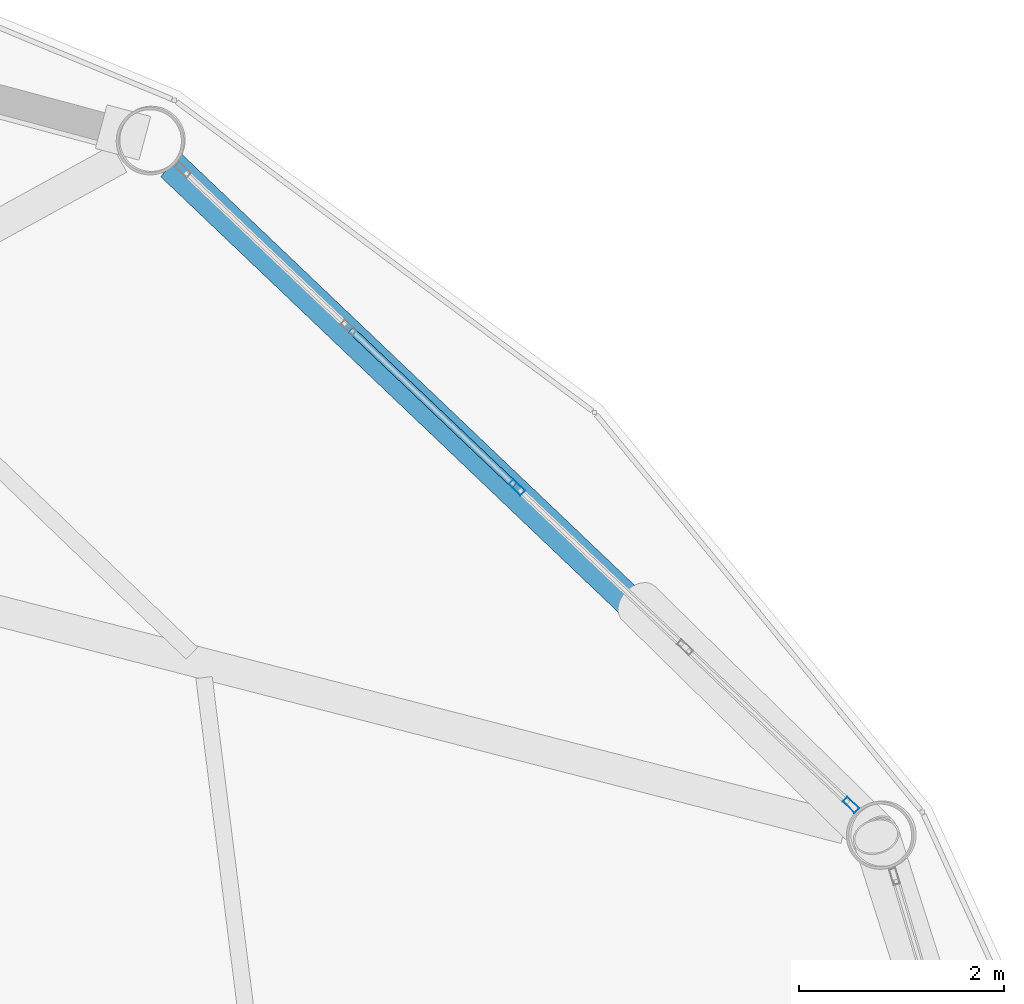
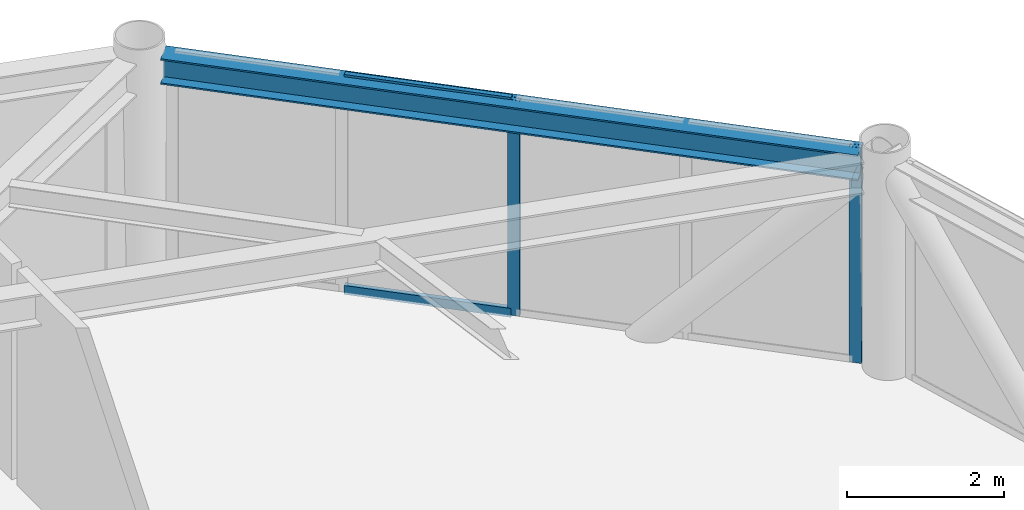
# One storey, part 18 of 29: 4 members, 1 beam, 1 element without a shape of its own.
"""IFC4 building model written with IfcOpenShell, lengths in metres."""

from ifc_helpers import new_model, si_unit, direction, frame, origin, origin_2d, place, context, subcontext, project, spatial, hollow_rectangle, i_section, extrude, material, layer, layer_set, material_profile, profile_set, type_object, element, aggregate, save


model = new_model("IFC4")

# Units and contexts
model_context = context("Model", 3, precision=1e-05, world=origin(), true_north=direction((0.0, 1.0)))
body_context = subcontext(model_context, "Body", "Model", "MODEL_VIEW")
ifc_project = project(units=[si_unit("LENGTHUNIT", "METRE"), si_unit("AREAUNIT", "SQUARE_METRE"), si_unit("VOLUMEUNIT", "CUBIC_METRE"), si_unit("PLANEANGLEUNIT", "RADIAN"), si_unit("MASSUNIT", "GRAM", prefix="KILO")], contexts=[model_context])

# Site, building, storey
site_placement = place(None, origin())
site = spatial("IfcSite", under=ifc_project, at=site_placement, CompositionType="ELEMENT")
building_placement = place(site_placement, origin())
building = spatial("IfcBuilding", under=site, at=building_placement, Name="Varnakorn Sky Granary", CompositionType="ELEMENT")
storey_placement = place(building_placement, frame((0.0, 0.0, 189.60009765625)))
storey = spatial("IfcBuildingStorey", under=building, at=storey_placement, Name="L47", CompositionType="ELEMENT", Elevation=189.60009765625)

# Beam
ifc_material_1 = material(Name="Steel S355JR", Category="steel")
ifc_material_profile_1 = material_profile(ifc_material_1, i_section(OverallWidth=0.300048828125, OverallDepth=0.39990234375, WebThickness=0.013427734375, FlangeThickness=0.02392578125, at=origin_2d()), Name="HE 400 B")
ifc_profile_set_1 = profile_set([ifc_material_profile_1], Name="Steel S355JR")
beam_type = type_object("IfcBeamType", Name="BM-SPD-Z4", PredefinedType="SPANDREL", material=ifc_profile_set_1)
beam_placement = place(storey_placement, frame((21.402099609375, 9.440185546875, 3.159912109375), z_axis=(-0.724279861644, 0.689506114561, 0.0), x_axis=(-0.689506114561, -0.724279861644, 0.0)))
element("IfcBeam", 1, at=beam_placement, inside=storey, type_object=beam_type, Name="Perimeter Spandrel Ring Beam RB02 L47", PredefinedType="SPANDREL", context=body_context, shape_type="SweptSolid", body=[
    extrude(i_section(OverallWidth=0.300048828125, OverallDepth=0.39990234375, WebThickness=0.013427734375, FlangeThickness=0.02392578125, at=origin_2d()), origin(), (0.0, 0.0, 1.0), 9.162109375),
])

# Curtain wall, members
ifc_material_2 = material(Name="Anodised Bronze Aluminium Alloy 6063-T6", Category="aluminium")
ifc_layer = layer(ifc_material_2, 0.169921875, Name="Anodised Bronze Aluminium Alloy 6063-T6")
ifc_layer_set = layer_set([ifc_layer], Name="Anodised Bronze Aluminium Alloy 6063-T6")
curtain_wall_type = type_object("IfcCurtainWallType", Name="CW-LAB-1", PredefinedType="USERDEFINED", material=ifc_layer_set)
curtain_wall_placement = place(storey_placement, origin())
curtain_wall = element("IfcCurtainWall", 2, at=curtain_wall_placement, inside=storey, type_object=curtain_wall_type, Name="Unitised Curtain Wall CW5 CW-L47-B02", ObjectType="CURTAIN WALL", PredefinedType="USERDEFINED")
ifc_material_profile_2 = material_profile(ifc_material_2, hollow_rectangle(XDim=0.06494140625, YDim=0.159912109375, WallThickness=0.00341796875, at=origin_2d()), Name="ALU MULL 65x160")
ifc_profile_set_2 = profile_set([ifc_material_profile_2], Name="Anodised Bronze Aluminium Alloy 6063-T6")
member_type_1 = type_object("IfcMemberType", Name="CW-LAB-1-MULL", PredefinedType="MULLION", material=ifc_profile_set_2)
member_1_placement = place(storey_placement, frame((18.130615234375, 12.6220703125, 0.0), z_axis=(0.0, 0.0, 1.0), x_axis=(0.688905297757, 0.724851357674, 0.0)))
member_1 = element("IfcMember", 3, at=member_1_placement, type_object=member_type_1, Name="CW5 mullion 3", PredefinedType="MULLION", context=body_context, shape_type="SweptSolid", body=[
    extrude(hollow_rectangle(XDim=0.06494140625, YDim=0.159912109375, WallThickness=0.00341796875, at=origin_2d()), origin(), (0.0, 0.0, 1.0), 3.35986328125),
])
member_2_placement = place(storey_placement, frame((21.3828125, 9.531005859375, 0.0), z_axis=(0.0, 0.0, 1.0), x_axis=(0.688905297757, 0.724851357674, 0.0)))
member_2 = element("IfcMember", 4, at=member_2_placement, type_object=member_type_1, Name="CW5 mullion 5", PredefinedType="MULLION", context=body_context, shape_type="SweptSolid", body=[
    extrude(hollow_rectangle(XDim=0.06494140625, YDim=0.159912109375, WallThickness=0.00341796875, at=origin_2d()), origin(), (0.0, 0.0, 1.0), 3.35986328125),
])
ifc_material_profile_3 = material_profile(ifc_material_2, hollow_rectangle(XDim=0.070068359375, YDim=0.139892578125, WallThickness=0.00341796875, at=origin_2d()), Name="ALU TRAN 70x140")
ifc_profile_set_3 = profile_set([ifc_material_profile_3], Name="Anodised Bronze Aluminium Alloy 6063-T6")
member_type_2 = type_object("IfcMemberType", Name="CW-LAB-1-TRAN", PredefinedType="USERDEFINED", material=ifc_profile_set_3)
member_3_placement = place(storey_placement, frame((16.51611328125, 14.15625, 0.034912109375), z_axis=(0.724899433292, -0.68885471009, 0.0), x_axis=(0.68885471009, 0.724899433292, 0.0)))
member_3 = element("IfcMember", 5, at=member_3_placement, type_object=member_type_2, Name="CW5 transom 2.1", ObjectType="TRANSOM", PredefinedType="USERDEFINED", context=body_context, shape_type="SweptSolid", body=[
    extrude(hollow_rectangle(XDim=0.070068359375, YDim=0.139892578125, WallThickness=0.00341796875, at=origin_2d()), origin(), (0.0, 0.0, 1.0), 2.194580078125),
])
member_4_placement = place(storey_placement, frame((16.51611328125, 14.15625, 3.324951171875), z_axis=(0.724899433292, -0.68885471009, 0.0), x_axis=(0.68885471009, 0.724899433292, 0.0)))
member_4 = element("IfcMember", 6, at=member_4_placement, type_object=member_type_2, Name="CW5 transom 2.2", ObjectType="TRANSOM", PredefinedType="USERDEFINED", context=body_context, shape_type="SweptSolid", body=[
    extrude(hollow_rectangle(XDim=0.070068359375, YDim=0.139892578125, WallThickness=0.00341796875, at=origin_2d()), origin(), (0.0, 0.0, 1.0), 2.194580078125),
])
aggregate(curtain_wall, [member_1, member_2, member_3, member_4])

save(model, "model.ifc")
